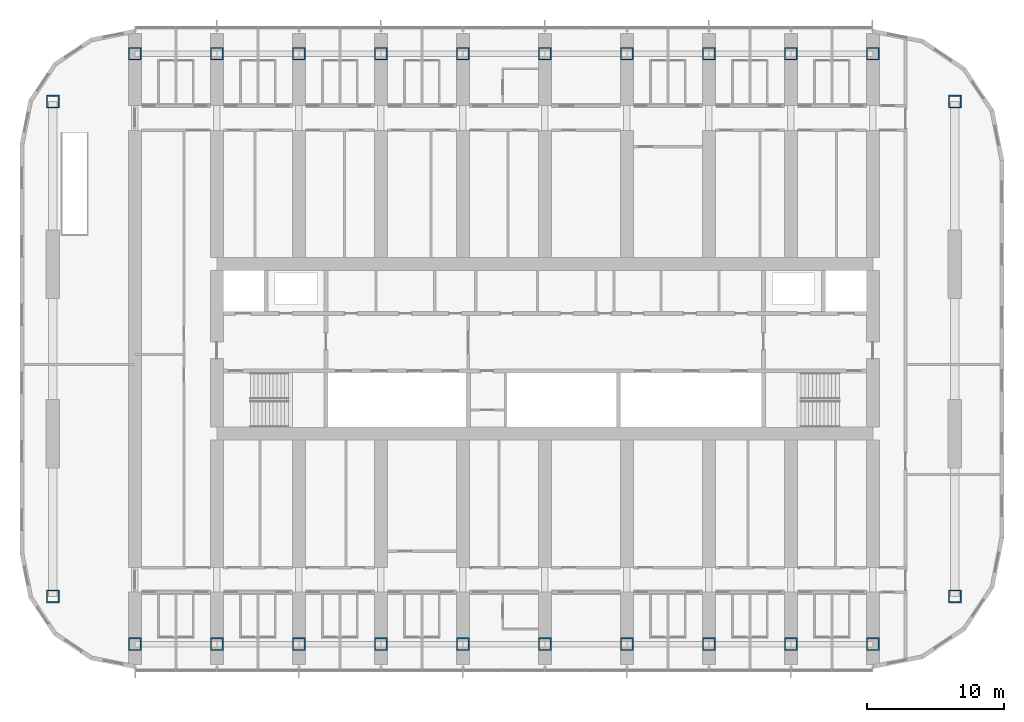
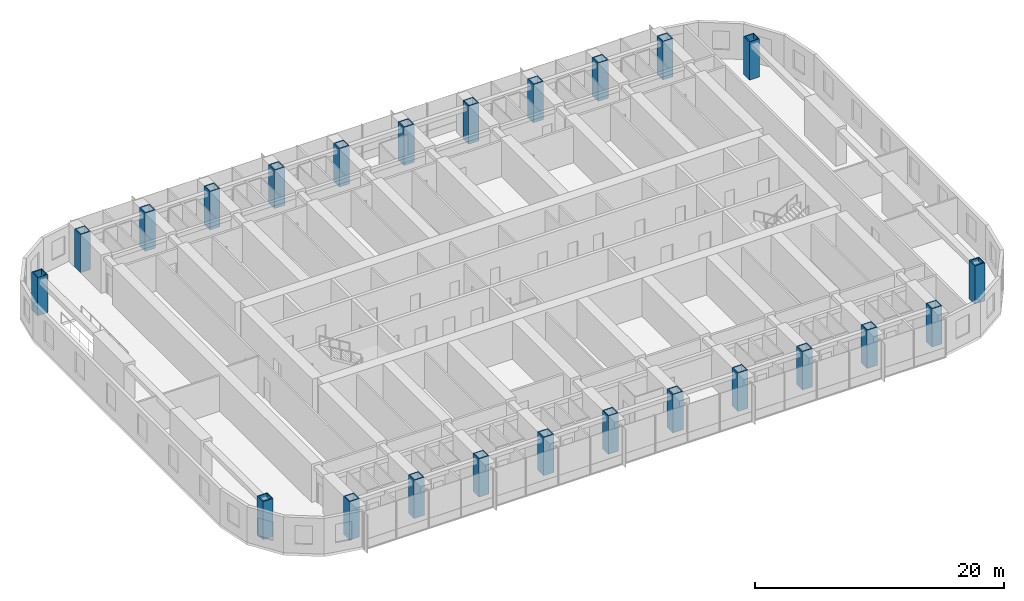
# One storey, part 1 of 22: 24 columns.
"""IFC4 building model written with IfcOpenShell, lengths in metres."""

from ifc_helpers import new_model, si_unit, direction, frame, origin, origin_2d, place, context, subcontext, project, spatial, hollow_rectangle, extrude, material, material_profile, profile_set, type_object, element, save


model = new_model("IFC4")

# Units and contexts
model_context = context("Model", 3, precision=1e-05, world=origin(), true_north=direction((0.0, 1.0)))
body_context = subcontext(model_context, "Body", "Model", "MODEL_VIEW")
ifc_project = project(units=[si_unit("LENGTHUNIT", "METRE"), si_unit("AREAUNIT", "SQUARE_METRE"), si_unit("VOLUMEUNIT", "CUBIC_METRE"), si_unit("PLANEANGLEUNIT", "RADIAN"), si_unit("MASSUNIT", "GRAM", prefix="KILO")], contexts=[model_context])

# Site, building, storey
site_placement = place(None, origin())
site = spatial("IfcSite", under=ifc_project, at=site_placement, CompositionType="ELEMENT")
building_placement = place(site_placement, origin())
building = spatial("IfcBuilding", under=site, at=building_placement, Name="Orbita Commons", CompositionType="ELEMENT")
storey_placement = place(building_placement, frame((0.0, 0.0, 118.14990234375)))
storey = spatial("IfcBuildingStorey", under=building, at=storey_placement, Name="L29", CompositionType="ELEMENT", Elevation=118.14990234375)

# Columns
ifc_material = material(Name="Steel ASTM A572 Gr 50 welded plate", Category="steel")
ifc_material_profile = material_profile(ifc_material, hollow_rectangle(XDim=0.949951171875, YDim=0.949951171875, WallThickness=0.094970703125, at=origin_2d()), Name="BOX 950x950x95")
ifc_profile_set = profile_set([ifc_material_profile], Name="Steel ASTM A572 Gr 50 welded plate")
column_type = type_object("IfcColumnType", Name="Steel column BOX 950x950x95", PredefinedType="COLUMN", material=ifc_profile_set)
for number, where, z_axis, x_axis, name in (
    (1, (12.0, 10.39990234375, 0.0), (0.0, 0.0, 1.0), (1.0, 0.0, 0.0), "Column 3/B L29"),
    (2, (12.0, 53.60009765625, 0.0), (0.0, 0.0, 1.0), (1.0, 0.0, 0.0), "Column 3/E L29"),
    (3, (18.0, 10.39990234375, 0.0), (0.0, 0.0, 1.0), (1.0, 0.0, 0.0), "Column 4/B L29"),
    (4, (18.0, 53.60009765625, 0.0), (0.0, 0.0, 1.0), (1.0, 0.0, 0.0), "Column 4/E L29"),
    (5, (24.0, 10.39990234375, 0.0), (0.0, 0.0, 1.0), (1.0, 0.0, 0.0), "Column 5/B L29"),
    (6, (24.0, 53.60009765625, 0.0), (0.0, 0.0, 1.0), (1.0, 0.0, 0.0), "Column 5/E L29"),
    (7, (30.0, 10.39990234375, 0.0), (0.0, 0.0, 1.0), (1.0, 0.0, 0.0), "Column 6/B L29"),
    (8, (30.0, 53.60009765625, 0.0), (0.0, 0.0, 1.0), (1.0, 0.0, 0.0), "Column 6/E L29"),
    (9, (36.0, 10.39990234375, 0.0), (0.0, 0.0, 1.0), (1.0, 0.0, 0.0), "Column 7/B L29"),
    (10, (36.0, 53.60009765625, 0.0), (0.0, 0.0, 1.0), (1.0, 0.0, 0.0), "Column 7/E L29"),
    (11, (42.0, 10.39990234375, 0.0), (0.0, 0.0, 1.0), (1.0, 0.0, 0.0), "Column 8/B L29"),
    (12, (42.0, 53.60009765625, 0.0), (0.0, 0.0, 1.0), (1.0, 0.0, 0.0), "Column 8/E L29"),
    (13, (48.0, 10.39990234375, 0.0), (0.0, 0.0, 1.0), (1.0, 0.0, 0.0), "Column 9/B L29"),
    (14, (48.0, 53.60009765625, 0.0), (0.0, 0.0, 1.0), (1.0, 0.0, 0.0), "Column 9/E L29"),
    (15, (54.0, 10.39990234375, 0.0), (0.0, 0.0, 1.0), (1.0, 0.0, 0.0), "Column 10/B L29"),
    (16, (54.0, 53.60009765625, 0.0), (0.0, 0.0, 1.0), (1.0, 0.0, 0.0), "Column 10/E L29"),
    (17, (60.0, 10.39990234375, 0.0), (0.0, 0.0, 1.0), (1.0, 0.0, 0.0), "Column 11/B L29"),
    (18, (60.0, 53.60009765625, 0.0), (0.0, 0.0, 1.0), (1.0, 0.0, 0.0), "Column 11/E L29"),
    (19, (66.0, 10.39990234375, 0.0), (0.0, 0.0, 1.0), (1.0, 0.0, 0.0), "Column 12/B L29"),
    (20, (66.0, 53.60009765625, 0.0), (0.0, 0.0, 1.0), (1.0, 0.0, 0.0), "Column 12/E L29"),
    (21, (6.0, 13.89990234375, 0.0), (0.0, 0.0, 1.0), (1.0, 0.0, 0.0), "Column 2/13.9 L29"),
    (22, (6.0, 50.10009765625, 0.0), (0.0, 0.0, 1.0), (1.0, 0.0, 0.0), "Column 2/50.1 L29"),
    (23, (72.0, 13.89990234375, 0.0), (0.0, 0.0, 1.0), (1.0, 0.0, 0.0), "Column 13/13.9 L29"),
    (24, (72.0, 50.10009765625, 0.0), (0.0, 0.0, 1.0), (1.0, 0.0, 0.0), "Column 13/50.1 L29"),
):
    element("IfcColumn", number, at=place(storey_placement, frame(where, z_axis=z_axis, x_axis=x_axis)), inside=storey, type_object=column_type, Name=name, PredefinedType="COLUMN", context=body_context, shape_type="SweptSolid", body=[
        extrude(hollow_rectangle(XDim=0.949951171875, YDim=0.949951171875, WallThickness=0.094970703125, at=origin_2d()), origin(), (0.0, 0.0, 1.0), 3.75),
    ])

save(model, "model.ifc")
